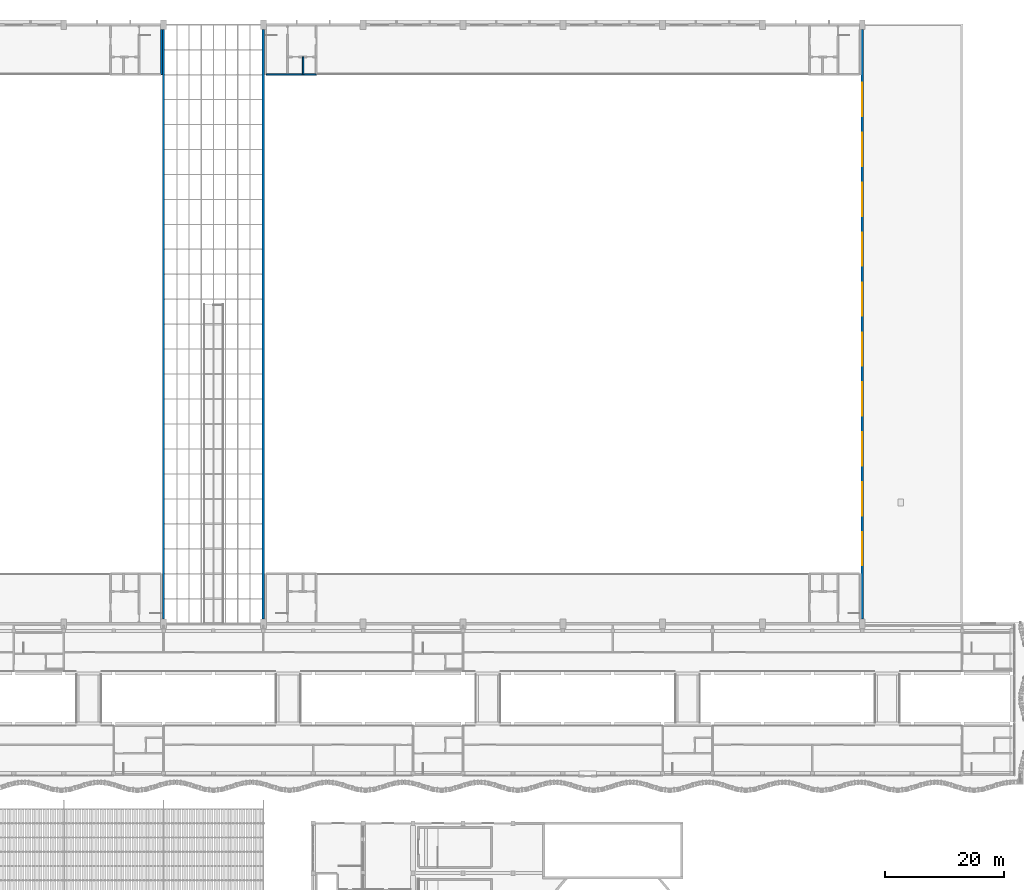
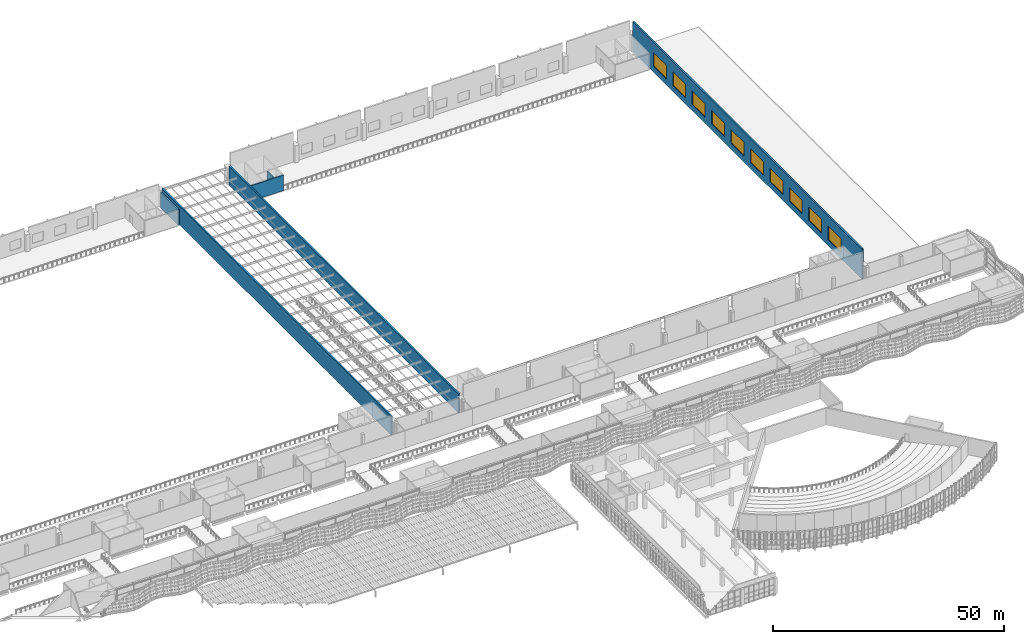
# One storey, part 94 of 162: 10 windows, 6 walls, 10 openings.
"""IFC4 building model written with IfcOpenShell, lengths in metres."""

import ifcopenshell
import ifcopenshell.guid

model = None  # the IFC model being written
_history = None  # IfcOwnerHistory: only IFC2X3 demands one
_inside = {}  # id of a spatial element -> (the spatial element, [elements in it])
_under = {}  # id of a project, library or spatial element -> (it, [spatial elements below it])
_declared = {}  # id of a project -> (the project, [libraries it declares])
_typed = {}  # id of a type object -> (the type object, [elements of that type])
_made_of = {}  # id of a material, layer set ... -> (it, [elements and type objects made of it])


def new_model(schema):
    """Start an empty IFC model of exactly this schema.

    Asked for "IFC4X3", IfcOpenShell would pick the latest addendum, in which some entities
    have other attributes; the version numbers below select the first issue.
    IFC2X3 requires an IfcOwnerHistory on every rooted entity: one is made here for all.
    """
    global model, _history
    if schema == "IFC4X3":
        model = ifcopenshell.file(schema_version=(4, 3, 0, 0))
    else:
        model = ifcopenshell.file(schema=schema)
    _inside.clear()
    _under.clear()
    _declared.clear()
    _typed.clear()
    _made_of.clear()
    _history = None
    if model.schema == "IFC2X3":
        org = make("IfcOrganization", Name="unknown")
        user = make(
            "IfcPersonAndOrganization",
            ThePerson=make("IfcPerson", FamilyName="unknown"),
            TheOrganization=org,
        )
        app = make(
            "IfcApplication",
            ApplicationDeveloper=org,
            Version="unknown",
            ApplicationFullName="unknown",
            ApplicationIdentifier="unknown",
        )
        _history = make(
            "IfcOwnerHistory",
            OwningUser=user,
            OwningApplication=app,
            ChangeAction="ADDED",
            CreationDate=0,
        )
    return model


def make(cls, **values):
    """One entity of the class cls with the attributes given. An attribute that is None is left unset."""
    return model.create_entity(
        cls, **{name: value for name, value in values.items() if value is not None}
    )


def rooted(cls, **values):
    """An entity with a GlobalId (a new one), such as an element, a storey or a relation."""
    return make(cls, GlobalId=ifcopenshell.guid.new(), OwnerHistory=_history, **values)


def si_unit(unit_type, name, prefix=None):
    """IfcSIUnit, for example si_unit("LENGTHUNIT", "METRE", prefix="MILLI")."""
    return make("IfcSIUnit", UnitType=unit_type, Prefix=prefix, Name=name)


def assignment(units):
    """IfcUnitAssignment: the units of a project."""
    return None if units is None else make("IfcUnitAssignment", Units=units)


def point(xyz):
    """IfcCartesianPoint."""
    return None if xyz is None else make("IfcCartesianPoint", Coordinates=xyz)


def direction(xyz):
    """IfcDirection."""
    return None if xyz is None else make("IfcDirection", DirectionRatios=xyz)


def frame(location, z_axis=None, x_axis=None):
    """IfcAxis2Placement3D, a coordinate frame: its origin and axes. An axis left out is left unset."""
    return make(
        "IfcAxis2Placement3D",
        Location=point(location),
        Axis=direction(z_axis),
        RefDirection=direction(x_axis),
    )


def frame_2d(location, x_axis=None):
    """IfcAxis2Placement2D, a coordinate frame in the plane: its origin and x axis."""
    return make(
        "IfcAxis2Placement2D", Location=point(location), RefDirection=direction(x_axis)
    )


def origin():
    """The frame at (0, 0, 0) with its axes left unset."""
    return frame((0.0, 0.0, 0.0))


def place(relative_to, where):
    """IfcLocalPlacement: puts the frame where relative to a parent placement (None: the world)."""
    return make(
        "IfcLocalPlacement", PlacementRelTo=relative_to, RelativePlacement=where
    )


def context(
    kind, dimensions, precision=None, world=None, true_north=None, identifier=None
):
    """IfcGeometricRepresentationContext, for example the 3D "Model" context."""
    return make(
        "IfcGeometricRepresentationContext",
        ContextIdentifier=identifier,
        ContextType=kind,
        CoordinateSpaceDimension=dimensions,
        Precision=precision,
        WorldCoordinateSystem=world,
        TrueNorth=true_north,
    )


def subcontext(parent, identifier, kind, view, scale=None):
    """IfcGeometricRepresentationSubContext, for example "Body" below "Model"."""
    return make(
        "IfcGeometricRepresentationSubContext",
        ContextIdentifier=identifier,
        ContextType=kind,
        ParentContext=parent,
        TargetScale=scale,
        TargetView=view,
    )


def project(units=None, contexts=None):
    """IfcProject with its units and contexts."""
    return rooted(
        "IfcProject",
        Name="project",
        RepresentationContexts=contexts,
        UnitsInContext=assignment(units),
    )


def spatial(cls, under=None, at=None, **own):
    """A site, building, storey or space (cls), placed at a placement, below another one or the project."""
    s = rooted(cls, ObjectPlacement=at, **own)
    if under is not None:
        _under.setdefault(under.id(), (under, []))[1].append(s)
    return s


def profile(cls, at=None, kind="AREA", **sizes):
    """A parametric profile (cls). Its sizes go by their IFC names, for example OverallWidth=200.0."""
    return make(cls, ProfileType=kind, Position=at, **sizes)


def rectangle(**sizes):
    """IfcRectangleProfileDef."""
    return profile("IfcRectangleProfileDef", **sizes)


def extrude(swept, where, along, depth):
    """IfcExtrudedAreaSolid: the profile swept, set in the frame where, extruded along a direction by depth."""
    return make(
        "IfcExtrudedAreaSolid",
        SweptArea=swept,
        Position=where,
        ExtrudedDirection=direction(along),
        Depth=depth,
    )


def shape(context_of_items, identifier, shape_type, items):
    """IfcShapeRepresentation: the items that make up one representation, for example the "Body"."""
    return make(
        "IfcShapeRepresentation",
        ContextOfItems=context_of_items,
        RepresentationIdentifier=identifier,
        RepresentationType=shape_type,
        Items=items,
    )


def material(Name=None, Category=None):
    """IfcMaterial."""
    return make("IfcMaterial", Name=Name, Category=Category)


def layer(
    of_material, thickness, ventilated=None, Name=None, Category=None, Priority=None
):
    """IfcMaterialLayer: one layer of a wall or slab, of a material (None: an air gap)."""
    return make(
        "IfcMaterialLayer",
        Material=of_material,
        LayerThickness=thickness,
        IsVentilated=ventilated,
        Name=Name,
        Category=Category,
        Priority=Priority,
    )


def layer_set(layers, Name=None):
    """IfcMaterialLayerSet."""
    return make("IfcMaterialLayerSet", MaterialLayers=layers, LayerSetName=Name)


def made_of(thing, what):
    """Note that an element or type object is made of a material, layer set ...; save() writes the relation."""
    if what is not None:
        _made_of.setdefault(what.id(), (what, []))[1].append(thing)
    return thing


def type_object(cls, material=None, **own):
    """A type object (cls), such as IfcWallType, which elements share."""
    return made_of(rooted(cls, **own), material)


def element(
    cls,
    number,
    at=None,
    inside=None,
    cuts=None,
    type_object=None,
    material=None,
    context=None,
    identifier="Body",
    shape_type=None,
    held_by="IfcProductDefinitionShape",
    body=None,
    shapes=None,
    **own,
):
    """One element of the class cls, such as IfcWall. Its Tag is "e" and its number.

    at: its placement. inside: the storey or other place that contains it. cuts: it is an
    opening in that element (IfcRelVoidsElement). A single representation is given by context,
    identifier, shape_type and body (its items); several are given by shapes. held_by: the class
    of the entity that holds the representations. save() writes the other relations.
    """
    e = rooted(cls, Tag="e%d" % number, ObjectPlacement=at, **own)
    if body is not None:
        shapes = [shape(context, identifier, shape_type, body)]
    if shapes is not None:
        e.Representation = make(held_by, Representations=shapes)
    if inside is not None:
        _inside.setdefault(inside.id(), (inside, []))[1].append(e)
    if cuts is not None:
        rooted(
            "IfcRelVoidsElement", RelatingBuildingElement=cuts, RelatedOpeningElement=e
        )
    if type_object is not None:
        _typed.setdefault(type_object.id(), (type_object, []))[1].append(e)
    return made_of(e, material)


def fill(opening, filler):
    """IfcRelFillsElement: the door or window that sits in an opening."""
    return rooted(
        "IfcRelFillsElement",
        RelatingOpeningElement=opening,
        RelatedBuildingElement=filler,
    )


def aggregate(whole, parts):
    """IfcRelAggregates: a whole, such as a stair, and the parts it consists of."""
    return rooted("IfcRelAggregates", RelatingObject=whole, RelatedObjects=parts)


def save(model, path):
    """Write the relations noted so far, then the file.

    IfcRelAggregates (storeys below a building ...), IfcRelContainedInSpatialStructure (elements
    in a storey), IfcRelDefinesByType, IfcRelAssociatesMaterial and IfcRelDeclares: one each for
    every whole, place, type object, material and project.
    """
    for whole, parts in _under.values():
        aggregate(whole, parts)
    for where, things in _inside.values():
        rooted(
            "IfcRelContainedInSpatialStructure",
            RelatedElements=things,
            RelatingStructure=where,
        )
    for kind, things in _typed.values():
        rooted("IfcRelDefinesByType", RelatedObjects=things, RelatingType=kind)
    for what, things in _made_of.values():
        rooted("IfcRelAssociatesMaterial", RelatedObjects=things, RelatingMaterial=what)
    for by, libraries in _declared.values():
        rooted("IfcRelDeclares", RelatingContext=by, RelatedDefinitions=libraries)
    model.write(path)


model = new_model("IFC4")

# Units and contexts
model_context = context("Model", 3, precision=1e-05, world=origin(), true_north=direction((0.0, 1.0)))
body_context = subcontext(model_context, "Body", "Model", "MODEL_VIEW")
ifc_project = project(units=[si_unit("LENGTHUNIT", "METRE"), si_unit("AREAUNIT", "SQUARE_METRE"), si_unit("VOLUMEUNIT", "CUBIC_METRE"), si_unit("PLANEANGLEUNIT", "RADIAN"), si_unit("MASSUNIT", "GRAM", prefix="KILO")], contexts=[model_context])

# Site, building, storey
site_placement = place(None, origin())
site = spatial("IfcSite", under=ifc_project, at=site_placement, CompositionType="ELEMENT")
building_placement = place(site_placement, origin())
building = spatial("IfcBuilding", under=site, at=building_placement, Name="Rain Tree Exposition and Congress Centre", CompositionType="ELEMENT")
storey_placement = place(building_placement, frame((0.0, 0.0, 6.0)))
storey = spatial("IfcBuildingStorey", under=building, at=storey_placement, Name="L01", CompositionType="ELEMENT", Elevation=6.0)

# Walls
ifc_material_1 = material(Name="Concrete C40/50", Category="concrete")
ifc_layer_1 = layer(ifc_material_1, 0.300048828125)
ifc_layer_set_1 = layer_set([ifc_layer_1], Name="Concrete C40/50")
wall_type_1 = type_object("IfcWallType", Name="Core gable pier wall 300", PredefinedType="SHEAR", material=ifc_layer_set_1)
wall_1_placement = place(storey_placement, frame((125.64990234375, 200.800048828125, 0.0), z_axis=(0.0, 0.0, 1.0), x_axis=(0.0, -1.0, 0.0)))
element("IfcWall", 1, at=wall_1_placement, inside=storey, type_object=wall_type_1, Name="Gable pier wall 4", PredefinedType="SHEAR", context=body_context, shape_type="SweptSolid", body=[
    extrude(rectangle(XDim=7.60009765625, YDim=0.300048828125, at=frame_2d((3.800048828125, 0.0))), origin(), (0.0, 0.0, 1.0), 4.10009765625),
])
ifc_material_2 = material(Name="Concrete C40/50", Category="concrete")
ifc_layer_2 = layer(ifc_material_2, 0.25)
ifc_layer_set_2 = layer_set([ifc_layer_2], Name="Concrete C40/50")
wall_type_2 = type_object("IfcWallType", Name="Core wall 250", PredefinedType="SHEAR", material=ifc_layer_set_2)
wall_2_placement = place(storey_placement, frame((143.300048828125, 193.199951171875, 0.0), z_axis=(0.0, 0.0, 1.0), x_axis=(1.0, 0.0, 0.0)))
element("IfcWall", 2, at=wall_2_placement, inside=storey, type_object=wall_type_2, Name="Core north wall 7", PredefinedType="SHEAR", context=body_context, shape_type="SweptSolid", body=[
    extrude(rectangle(XDim=8.39990234375, YDim=0.25, at=frame_2d((4.199951171875, 0.0))), origin(), (0.0, 0.0, 1.0), 4.10009765625),
])
wall_3_placement = place(storey_placement, frame((149.5, 196.199951171875, 0.0), z_axis=(0.0, 0.0, 1.0), x_axis=(0.0, -1.0, 0.0)))
element("IfcWall", 3, at=wall_3_placement, inside=storey, type_object=wall_type_2, Name="Lift shaft wall 7", PredefinedType="SHEAR", context=body_context, shape_type="SweptSolid", body=[
    extrude(rectangle(XDim=3.0, YDim=0.25, at=frame_2d((1.5, 0.0))), origin(), (0.0, 0.0, 1.0), 4.10009765625),
])
ifc_material_3 = material(Name="Precast concrete C50/60", Category="concrete")
ifc_layer_3 = layer(ifc_material_3, 0.39990234375)
ifc_layer_set_3 = layer_set([ifc_layer_3], Name="Precast concrete C50/60")
wall_type_3 = type_object("IfcWallType", Name="Hall gable precast wall 400", PredefinedType="SHEAR", material=ifc_layer_set_3)
for number, where, z_axis, x_axis, name in (
    (4, (126.0, 101.60009765625, 0.0), (0.0, 0.0, 1.0), (0.0, 1.0, 0.0), "Gable wall E"),
    (5, (142.800048828125, 101.60009765625, 0.0), (0.0, 0.0, 1.0), (0.0, 1.0, 0.0), "Gable wall W"),
):
    element("IfcWall", number, at=place(storey_placement, frame(where, z_axis=z_axis, x_axis=x_axis)), inside=storey, type_object=wall_type_3, Name=name, PredefinedType="SHEAR", context=body_context, shape_type="SweptSolid", body=[
        extrude(rectangle(XDim=99.199951171875, YDim=0.39990234375, at=frame_2d((49.60009765625, 0.0))), origin(), (0.0, 0.0, 1.0), 5.0),
    ])

# Wall, openings, windows
wall_4_placement = place(storey_placement, frame((243.60009765625, 101.60009765625, 0.0), z_axis=(0.0, 0.0, 1.0), x_axis=(0.0, 1.0, 0.0)))
wall_4 = element("IfcWall", 6, at=wall_4_placement, inside=storey, type_object=wall_type_3, Name="Gable wall E", PredefinedType="SHEAR", context=body_context, shape_type="SweptSolid", body=[
    extrude(rectangle(XDim=99.199951171875, YDim=0.39990234375, at=frame_2d((49.60009765625, 0.0))), origin(), (0.0, 0.0, 1.0), 7.89990234375),
])
opening_1_placement = place(wall_4_placement, frame((9.0, 0.0, 1.60009765625)))
opening_1 = element("IfcOpeningElement", 7, at=opening_1_placement, cuts=wall_4, Name="Opening WH042", PredefinedType="OPENING", context=body_context, shape_type="SweptSolid", body=[
    extrude(rectangle(XDim=5.60009765625, YDim=3.60009765625, at=frame_2d((2.800048828125, 1.800048828125))), frame((0.0, 0.199951171875, 0.0), z_axis=(0.0, -1.0, 0.0), x_axis=(1.0, 0.0, 0.0)), (0.0, 0.0, 1.0), 0.39990234375),
])
opening_2_placement = place(wall_4_placement, frame((17.39990234375, 0.0, 1.60009765625)))
opening_2 = element("IfcOpeningElement", 8, at=opening_2_placement, cuts=wall_4, Name="Opening WH043", PredefinedType="OPENING", context=body_context, shape_type="SweptSolid", body=[
    extrude(rectangle(XDim=5.60009765625, YDim=3.60009765625, at=frame_2d((2.800048828125, 1.800048828125))), frame((0.0, 0.199951171875, 0.0), z_axis=(0.0, -1.0, 0.0), x_axis=(1.0, 0.0, 0.0)), (0.0, 0.0, 1.0), 0.39990234375),
])
opening_3_placement = place(wall_4_placement, frame((25.800048828125, 0.0, 1.60009765625)))
opening_3 = element("IfcOpeningElement", 9, at=opening_3_placement, cuts=wall_4, Name="Opening WH044", PredefinedType="OPENING", context=body_context, shape_type="SweptSolid", body=[
    extrude(rectangle(XDim=5.60009765625, YDim=3.60009765625, at=frame_2d((2.800048828125, 1.800048828125))), frame((0.0, 0.199951171875, 0.0), z_axis=(0.0, -1.0, 0.0), x_axis=(1.0, 0.0, 0.0)), (0.0, 0.0, 1.0), 0.39990234375),
])
opening_4_placement = place(wall_4_placement, frame((34.199951171875, 0.0, 1.60009765625)))
opening_4 = element("IfcOpeningElement", 10, at=opening_4_placement, cuts=wall_4, Name="Opening WH045", PredefinedType="OPENING", context=body_context, shape_type="SweptSolid", body=[
    extrude(rectangle(XDim=5.60009765625, YDim=3.60009765625, at=frame_2d((2.800048828125, 1.800048828125))), frame((0.0, 0.199951171875, 0.0), z_axis=(0.0, -1.0, 0.0), x_axis=(1.0, 0.0, 0.0)), (0.0, 0.0, 1.0), 0.39990234375),
])
opening_5_placement = place(wall_4_placement, frame((42.60009765625, 0.0, 1.60009765625)))
opening_5 = element("IfcOpeningElement", 11, at=opening_5_placement, cuts=wall_4, Name="Opening WH046", PredefinedType="OPENING", context=body_context, shape_type="SweptSolid", body=[
    extrude(rectangle(XDim=5.60009765625, YDim=3.60009765625, at=frame_2d((2.800048828125, 1.800048828125))), frame((0.0, 0.199951171875, 0.0), z_axis=(0.0, -1.0, 0.0), x_axis=(1.0, 0.0, 0.0)), (0.0, 0.0, 1.0), 0.39990234375),
])
opening_6_placement = place(wall_4_placement, frame((51.0, 0.0, 1.60009765625)))
opening_6 = element("IfcOpeningElement", 12, at=opening_6_placement, cuts=wall_4, Name="Opening WH047", PredefinedType="OPENING", context=body_context, shape_type="SweptSolid", body=[
    extrude(rectangle(XDim=5.60009765625, YDim=3.60009765625, at=frame_2d((2.800048828125, 1.800048828125))), frame((0.0, 0.199951171875, 0.0), z_axis=(0.0, -1.0, 0.0), x_axis=(1.0, 0.0, 0.0)), (0.0, 0.0, 1.0), 0.39990234375),
])
opening_7_placement = place(wall_4_placement, frame((59.39990234375, 0.0, 1.60009765625)))
opening_7 = element("IfcOpeningElement", 13, at=opening_7_placement, cuts=wall_4, Name="Opening WH048", PredefinedType="OPENING", context=body_context, shape_type="SweptSolid", body=[
    extrude(rectangle(XDim=5.60009765625, YDim=3.60009765625, at=frame_2d((2.800048828125, 1.800048828125))), frame((0.0, 0.199951171875, 0.0), z_axis=(0.0, -1.0, 0.0), x_axis=(1.0, 0.0, 0.0)), (0.0, 0.0, 1.0), 0.39990234375),
])
opening_8_placement = place(wall_4_placement, frame((67.800048828125, 0.0, 1.60009765625)))
opening_8 = element("IfcOpeningElement", 14, at=opening_8_placement, cuts=wall_4, Name="Opening WH049", PredefinedType="OPENING", context=body_context, shape_type="SweptSolid", body=[
    extrude(rectangle(XDim=5.60009765625, YDim=3.60009765625, at=frame_2d((2.800048828125, 1.800048828125))), frame((0.0, 0.199951171875, 0.0), z_axis=(0.0, -1.0, 0.0), x_axis=(1.0, 0.0, 0.0)), (0.0, 0.0, 1.0), 0.39990234375),
])
opening_9_placement = place(wall_4_placement, frame((76.199951171875, 0.0, 1.60009765625)))
opening_9 = element("IfcOpeningElement", 15, at=opening_9_placement, cuts=wall_4, Name="Opening WH050", PredefinedType="OPENING", context=body_context, shape_type="SweptSolid", body=[
    extrude(rectangle(XDim=5.60009765625, YDim=3.60009765625, at=frame_2d((2.800048828125, 1.800048828125))), frame((0.0, 0.199951171875, 0.0), z_axis=(0.0, -1.0, 0.0), x_axis=(1.0, 0.0, 0.0)), (0.0, 0.0, 1.0), 0.39990234375),
])
opening_10_placement = place(wall_4_placement, frame((84.60009765625, 0.0, 1.60009765625)))
opening_10 = element("IfcOpeningElement", 16, at=opening_10_placement, cuts=wall_4, Name="Opening WH051", PredefinedType="OPENING", context=body_context, shape_type="SweptSolid", body=[
    extrude(rectangle(XDim=5.60009765625, YDim=3.60009765625, at=frame_2d((2.800048828125, 1.800048828125))), frame((0.0, 0.199951171875, 0.0), z_axis=(0.0, -1.0, 0.0), x_axis=(1.0, 0.0, 0.0)), (0.0, 0.0, 1.0), 0.39990234375),
])
ifc_material_4 = material(Name="Aluminium framed glazing", Category="aluminium")
window_type = type_object("IfcWindowType", Name="Hall gable window 5600x3600", PartitioningType="SINGLE_PANEL", PredefinedType="WINDOW", material=ifc_material_4)
window_1_placement = place(opening_1_placement, origin())
window_1 = element("IfcWindow", 17, at=window_1_placement, inside=storey, type_object=window_type, Name="Window WH042", OverallHeight=3.60009765625, OverallWidth=5.60009765625, PartitioningType="SINGLE_PANEL", PredefinedType="WINDOW", context=body_context, shape_type="SweptSolid", body=[
    extrude(rectangle(XDim=5.60009765625, YDim=3.60009765625, at=frame_2d((2.800048828125, 1.800048828125))), frame((0.0, 0.030029296875, 0.0), z_axis=(0.0, -1.0, 0.0), x_axis=(1.0, 0.0, 0.0)), (0.0, 0.0, 1.0), 0.06005859375),
])
fill(opening_1, window_1)
window_2_placement = place(opening_2_placement, origin())
window_2 = element("IfcWindow", 18, at=window_2_placement, inside=storey, type_object=window_type, Name="Window WH043", OverallHeight=3.60009765625, OverallWidth=5.60009765625, PartitioningType="SINGLE_PANEL", PredefinedType="WINDOW", context=body_context, shape_type="SweptSolid", body=[
    extrude(rectangle(XDim=5.60009765625, YDim=3.60009765625, at=frame_2d((2.800048828125, 1.800048828125))), frame((0.0, 0.030029296875, 0.0), z_axis=(0.0, -1.0, 0.0), x_axis=(1.0, 0.0, 0.0)), (0.0, 0.0, 1.0), 0.06005859375),
])
fill(opening_2, window_2)
window_3_placement = place(opening_3_placement, origin())
window_3 = element("IfcWindow", 19, at=window_3_placement, inside=storey, type_object=window_type, Name="Window WH044", OverallHeight=3.60009765625, OverallWidth=5.60009765625, PartitioningType="SINGLE_PANEL", PredefinedType="WINDOW", context=body_context, shape_type="SweptSolid", body=[
    extrude(rectangle(XDim=5.60009765625, YDim=3.60009765625, at=frame_2d((2.800048828125, 1.800048828125))), frame((0.0, 0.030029296875, 0.0), z_axis=(0.0, -1.0, 0.0), x_axis=(1.0, 0.0, 0.0)), (0.0, 0.0, 1.0), 0.06005859375),
])
fill(opening_3, window_3)
window_4_placement = place(opening_4_placement, origin())
window_4 = element("IfcWindow", 20, at=window_4_placement, inside=storey, type_object=window_type, Name="Window WH045", OverallHeight=3.60009765625, OverallWidth=5.60009765625, PartitioningType="SINGLE_PANEL", PredefinedType="WINDOW", context=body_context, shape_type="SweptSolid", body=[
    extrude(rectangle(XDim=5.60009765625, YDim=3.60009765625, at=frame_2d((2.800048828125, 1.800048828125))), frame((0.0, 0.030029296875, 0.0), z_axis=(0.0, -1.0, 0.0), x_axis=(1.0, 0.0, 0.0)), (0.0, 0.0, 1.0), 0.06005859375),
])
fill(opening_4, window_4)
window_5_placement = place(opening_5_placement, origin())
window_5 = element("IfcWindow", 21, at=window_5_placement, inside=storey, type_object=window_type, Name="Window WH046", OverallHeight=3.60009765625, OverallWidth=5.60009765625, PartitioningType="SINGLE_PANEL", PredefinedType="WINDOW", context=body_context, shape_type="SweptSolid", body=[
    extrude(rectangle(XDim=5.60009765625, YDim=3.60009765625, at=frame_2d((2.800048828125, 1.800048828125))), frame((0.0, 0.030029296875, 0.0), z_axis=(0.0, -1.0, 0.0), x_axis=(1.0, 0.0, 0.0)), (0.0, 0.0, 1.0), 0.06005859375),
])
fill(opening_5, window_5)
window_6_placement = place(opening_6_placement, origin())
window_6 = element("IfcWindow", 22, at=window_6_placement, inside=storey, type_object=window_type, Name="Window WH047", OverallHeight=3.60009765625, OverallWidth=5.60009765625, PartitioningType="SINGLE_PANEL", PredefinedType="WINDOW", context=body_context, shape_type="SweptSolid", body=[
    extrude(rectangle(XDim=5.60009765625, YDim=3.60009765625, at=frame_2d((2.800048828125, 1.800048828125))), frame((0.0, 0.030029296875, 0.0), z_axis=(0.0, -1.0, 0.0), x_axis=(1.0, 0.0, 0.0)), (0.0, 0.0, 1.0), 0.06005859375),
])
fill(opening_6, window_6)
window_7_placement = place(opening_7_placement, origin())
window_7 = element("IfcWindow", 23, at=window_7_placement, inside=storey, type_object=window_type, Name="Window WH048", OverallHeight=3.60009765625, OverallWidth=5.60009765625, PartitioningType="SINGLE_PANEL", PredefinedType="WINDOW", context=body_context, shape_type="SweptSolid", body=[
    extrude(rectangle(XDim=5.60009765625, YDim=3.60009765625, at=frame_2d((2.800048828125, 1.800048828125))), frame((0.0, 0.030029296875, 0.0), z_axis=(0.0, -1.0, 0.0), x_axis=(1.0, 0.0, 0.0)), (0.0, 0.0, 1.0), 0.06005859375),
])
fill(opening_7, window_7)
window_8_placement = place(opening_8_placement, origin())
window_8 = element("IfcWindow", 24, at=window_8_placement, inside=storey, type_object=window_type, Name="Window WH049", OverallHeight=3.60009765625, OverallWidth=5.60009765625, PartitioningType="SINGLE_PANEL", PredefinedType="WINDOW", context=body_context, shape_type="SweptSolid", body=[
    extrude(rectangle(XDim=5.60009765625, YDim=3.60009765625, at=frame_2d((2.800048828125, 1.800048828125))), frame((0.0, 0.030029296875, 0.0), z_axis=(0.0, -1.0, 0.0), x_axis=(1.0, 0.0, 0.0)), (0.0, 0.0, 1.0), 0.06005859375),
])
fill(opening_8, window_8)
window_9_placement = place(opening_9_placement, origin())
window_9 = element("IfcWindow", 25, at=window_9_placement, inside=storey, type_object=window_type, Name="Window WH050", OverallHeight=3.60009765625, OverallWidth=5.60009765625, PartitioningType="SINGLE_PANEL", PredefinedType="WINDOW", context=body_context, shape_type="SweptSolid", body=[
    extrude(rectangle(XDim=5.60009765625, YDim=3.60009765625, at=frame_2d((2.800048828125, 1.800048828125))), frame((0.0, 0.030029296875, 0.0), z_axis=(0.0, -1.0, 0.0), x_axis=(1.0, 0.0, 0.0)), (0.0, 0.0, 1.0), 0.06005859375),
])
fill(opening_9, window_9)
window_10_placement = place(opening_10_placement, origin())
window_10 = element("IfcWindow", 26, at=window_10_placement, inside=storey, type_object=window_type, Name="Window WH051", OverallHeight=3.60009765625, OverallWidth=5.60009765625, PartitioningType="SINGLE_PANEL", PredefinedType="WINDOW", context=body_context, shape_type="SweptSolid", body=[
    extrude(rectangle(XDim=5.60009765625, YDim=3.60009765625, at=frame_2d((2.800048828125, 1.800048828125))), frame((0.0, 0.030029296875, 0.0), z_axis=(0.0, -1.0, 0.0), x_axis=(1.0, 0.0, 0.0)), (0.0, 0.0, 1.0), 0.06005859375),
])
fill(opening_10, window_10)

save(model, "model.ifc")
